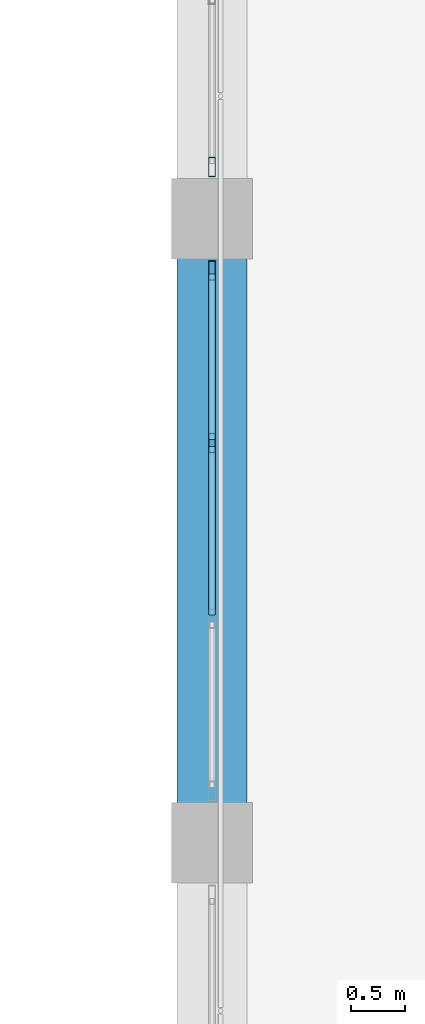
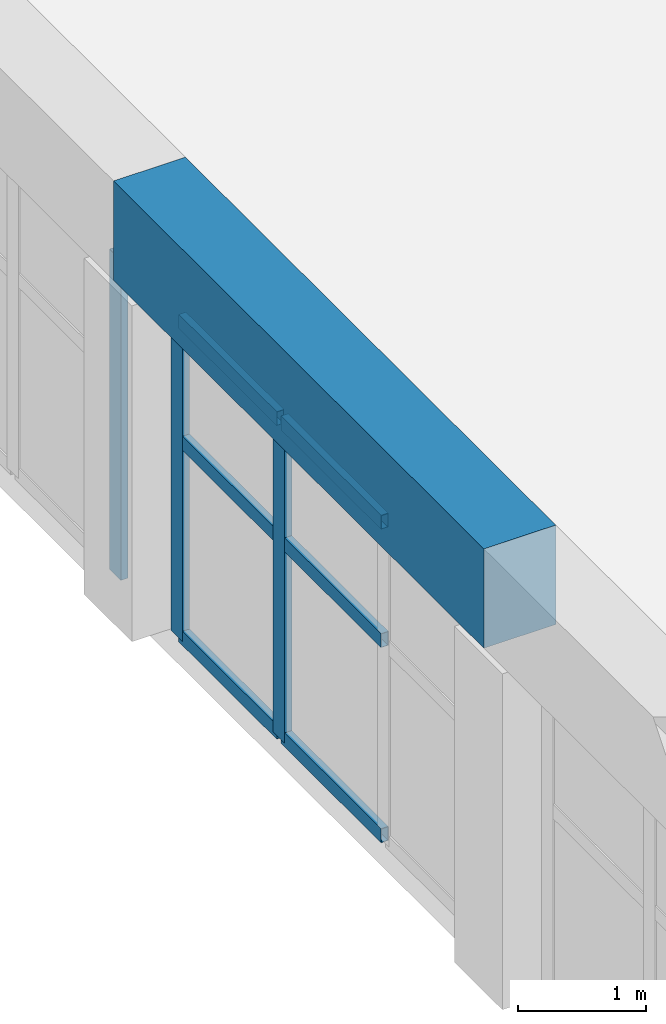
# One storey, part 31 of 128: 9 members, 1 beam, 2 elements without a shape of their own.
"""IFC4 building model written with IfcOpenShell, lengths in metres."""

from ifc_helpers import new_model, si_unit, direction, frame, origin, origin_2d, place, context, subcontext, project, spatial, rectangle, hollow_rectangle, extrude, material, material_profile, profile_set, type_object, element, aggregate, save


model = new_model("IFC4")

# Units and contexts
model_context = context("Model", 3, precision=1e-05, world=origin(), true_north=direction((0.0, 1.0)))
body_context = subcontext(model_context, "Body", "Model", "MODEL_VIEW")
ifc_project = project(units=[si_unit("LENGTHUNIT", "METRE"), si_unit("AREAUNIT", "SQUARE_METRE"), si_unit("VOLUMEUNIT", "CUBIC_METRE"), si_unit("PLANEANGLEUNIT", "RADIAN"), si_unit("MASSUNIT", "GRAM", prefix="KILO")], contexts=[model_context])

# Site, building, storey
site_placement = place(None, origin())
site = spatial("IfcSite", under=ifc_project, at=site_placement, CompositionType="ELEMENT")
building_placement = place(site_placement, origin())
building = spatial("IfcBuilding", under=site, at=building_placement, Name="Tanwirah Colonnade Gardens", CompositionType="ELEMENT")
storey_placement = place(building_placement, frame((0.0, 0.0, 4.760009765625)))
storey = spatial("IfcBuildingStorey", under=building, at=storey_placement, Name="L01", CompositionType="ELEMENT", Elevation=4.760009765625)

# Curtain wall, members
ifc_material_1 = material(Name="Bronze-anodised aluminium and solar-control low-E glass", Category="aluminium")
curtain_wall_type = type_object("IfcCurtainWallType", Name="CW-HALL", PredefinedType="NOTDEFINED", material=ifc_material_1)
curtain_wall_1_placement = place(storey_placement, origin())
curtain_wall_1 = element("IfcCurtainWall", 1, at=curtain_wall_1_placement, inside=storey, type_object=curtain_wall_type, Name="Curtain Wall CW-HALL-L01-W-5", PredefinedType="NOTDEFINED")
ifc_material_2 = material(Name="Bronze-anodised aluminium", Category="aluminium")
ifc_material_profile_1 = material_profile(ifc_material_2, hollow_rectangle(XDim=0.06494140625, YDim=0.179931640625, WallThickness=0.00390625, at=origin_2d()), Name="CW-MUL 65x180x4")
ifc_profile_set_1 = profile_set([ifc_material_profile_1], Name="Bronze-anodised aluminium")
member_type_1 = type_object("IfcMemberType", Name="CWM-65x180", PredefinedType="MULLION", material=ifc_profile_set_1)
member_1_placement = place(storey_placement, frame((78.0, 66.716552734375, 0.0), z_axis=(0.0, 0.0, 1.0), x_axis=(-1.0, 0.0, 0.0)))
member_1 = element("IfcMember", 2, at=member_1_placement, type_object=member_type_1, Name="CW-HALL mullion 3", PredefinedType="MULLION", context=body_context, shape_type="SweptSolid", body=[
    extrude(hollow_rectangle(XDim=0.06494140625, YDim=0.179931640625, WallThickness=0.00390625, at=origin_2d()), origin(), (0.0, 0.0, 1.0), 3.06005859375),
])
member_2_placement = place(storey_placement, frame((78.0, 68.3173828125, 0.0), z_axis=(0.0, 0.0, 1.0), x_axis=(-1.0, 0.0, 0.0)))
member_2 = element("IfcMember", 3, at=member_2_placement, type_object=member_type_1, Name="CW-HALL mullion 4", PredefinedType="MULLION", context=body_context, shape_type="SweptSolid", body=[
    extrude(hollow_rectangle(XDim=0.06494140625, YDim=0.179931640625, WallThickness=0.00390625, at=origin_2d()), origin(), (0.0, 0.0, 1.0), 3.06005859375),
])

# Curtain wall, member
curtain_wall_2_placement = place(storey_placement, origin())
curtain_wall_2 = element("IfcCurtainWall", 4, at=curtain_wall_2_placement, inside=storey, type_object=curtain_wall_type, Name="Curtain Wall CW-HALL-L01-W-6", PredefinedType="NOTDEFINED")
member_3_placement = place(storey_placement, frame((78.0, 69.282470703125, 0.0), z_axis=(0.0, 0.0, 1.0), x_axis=(-1.0, 0.0, 0.0)))
member_3 = element("IfcMember", 5, at=member_3_placement, type_object=member_type_1, Name="CW-HALL mullion 1", PredefinedType="MULLION", context=body_context, shape_type="SweptSolid", body=[
    extrude(hollow_rectangle(XDim=0.06494140625, YDim=0.179931640625, WallThickness=0.00390625, at=origin_2d()), origin(), (0.0, 0.0, 1.0), 3.06005859375),
])
aggregate(curtain_wall_2, [member_3])

# Member
ifc_material_profile_2 = material_profile(ifc_material_2, hollow_rectangle(XDim=0.06494140625, YDim=0.135009765625, WallThickness=0.00390625, at=origin_2d()), Name="CW-TRN 65x135x4")
ifc_profile_set_2 = profile_set([ifc_material_profile_2], Name="Bronze-anodised aluminium")
member_type_2 = type_object("IfcMemberType", Name="CWT-65x135", PredefinedType="USERDEFINED", material=ifc_profile_set_2)
member_4_placement = place(storey_placement, frame((78.0, 65.11572265625, 0.032470703125), z_axis=(0.0, 1.0, 0.0), x_axis=(-1.0, 0.0, 0.0)))
member_4 = element("IfcMember", 6, at=member_4_placement, type_object=member_type_2, Name="CW-HALL transom 2.1", ObjectType="TRANSOM", PredefinedType="USERDEFINED", context=body_context, shape_type="SweptSolid", body=[
    extrude(hollow_rectangle(XDim=0.06494140625, YDim=0.135009765625, WallThickness=0.00390625, at=origin_2d()), origin(), (0.0, 0.0, 1.0), 1.568359375),
])

member_5_placement = place(storey_placement, frame((78.0, 65.11572265625, 1.897216796875), z_axis=(0.0, 1.0, 0.0), x_axis=(-1.0, 0.0, 0.0)))
member_5 = element("IfcMember", 7, at=member_5_placement, type_object=member_type_2, Name="CW-HALL transom 2.2", ObjectType="TRANSOM", PredefinedType="USERDEFINED", context=body_context, shape_type="SweptSolid", body=[
    extrude(hollow_rectangle(XDim=0.06494140625, YDim=0.135009765625, WallThickness=0.00390625, at=origin_2d()), origin(), (0.0, 0.0, 1.0), 1.568359375),
])

member_6_placement = place(storey_placement, frame((78.0, 65.11572265625, 3.027587890625), z_axis=(0.0, 1.0, 0.0), x_axis=(-1.0, 0.0, 0.0)))
member_6 = element("IfcMember", 8, at=member_6_placement, type_object=member_type_2, Name="CW-HALL transom 2.3", ObjectType="TRANSOM", PredefinedType="USERDEFINED", context=body_context, shape_type="SweptSolid", body=[
    extrude(hollow_rectangle(XDim=0.06494140625, YDim=0.135009765625, WallThickness=0.00390625, at=origin_2d()), origin(), (0.0, 0.0, 1.0), 1.568359375),
])

member_7_placement = place(storey_placement, frame((78.0, 66.749267578125, 0.032470703125), z_axis=(0.0, 1.0, 0.0), x_axis=(-1.0, 0.0, 0.0)))
member_7 = element("IfcMember", 9, at=member_7_placement, type_object=member_type_2, Name="CW-HALL transom 3.1", ObjectType="TRANSOM", PredefinedType="USERDEFINED", context=body_context, shape_type="SweptSolid", body=[
    extrude(hollow_rectangle(XDim=0.06494140625, YDim=0.135009765625, WallThickness=0.00390625, at=origin_2d()), origin(), (0.0, 0.0, 1.0), 1.53564453125),
])

member_8_placement = place(storey_placement, frame((78.0, 66.749267578125, 1.897216796875), z_axis=(0.0, 1.0, 0.0), x_axis=(-1.0, 0.0, 0.0)))
member_8 = element("IfcMember", 10, at=member_8_placement, type_object=member_type_2, Name="CW-HALL transom 3.2", ObjectType="TRANSOM", PredefinedType="USERDEFINED", context=body_context, shape_type="SweptSolid", body=[
    extrude(hollow_rectangle(XDim=0.06494140625, YDim=0.135009765625, WallThickness=0.00390625, at=origin_2d()), origin(), (0.0, 0.0, 1.0), 1.53564453125),
])

member_9_placement = place(storey_placement, frame((78.0, 66.749267578125, 3.027587890625), z_axis=(0.0, 1.0, 0.0), x_axis=(-1.0, 0.0, 0.0)))
member_9 = element("IfcMember", 11, at=member_9_placement, type_object=member_type_2, Name="CW-HALL transom 3.3", ObjectType="TRANSOM", PredefinedType="USERDEFINED", context=body_context, shape_type="SweptSolid", body=[
    extrude(hollow_rectangle(XDim=0.06494140625, YDim=0.135009765625, WallThickness=0.00390625, at=origin_2d()), origin(), (0.0, 0.0, 1.0), 1.53564453125),
])

aggregate(curtain_wall_1, [member_1, member_2, member_4, member_5, member_6, member_7, member_8, member_9])

# Beam
ifc_material_3 = material(Name="Concrete C45/55", Category="concrete")
ifc_material_profile_3 = material_profile(ifc_material_3, rectangle(XDim=0.64990234375, YDim=0.949951171875, at=origin_2d()), Name="RC-RB 650x950")
ifc_profile_set_3 = profile_set([ifc_material_profile_3], Name="Concrete C45/55")
beam_type = type_object("IfcBeamType", Name="RB-V650", PredefinedType="BEAM", material=ifc_profile_set_3)
beam_placement = place(storey_placement, frame((78.0, 63.0, 3.68505859375), z_axis=(0.0, 1.0, 0.0), x_axis=(-1.0, 0.0, 0.0)))
element("IfcBeam", 12, at=beam_placement, inside=storey, type_object=beam_type, Name="Community Hall Vault Ring Beam W-5", PredefinedType="BEAM", context=body_context, shape_type="SweptSolid", body=[
    extrude(rectangle(XDim=0.64990234375, YDim=0.949951171875, at=origin_2d()), origin(), (0.0, 0.0, 1.0), 5.800048828125),
])

save(model, "model.ifc")
